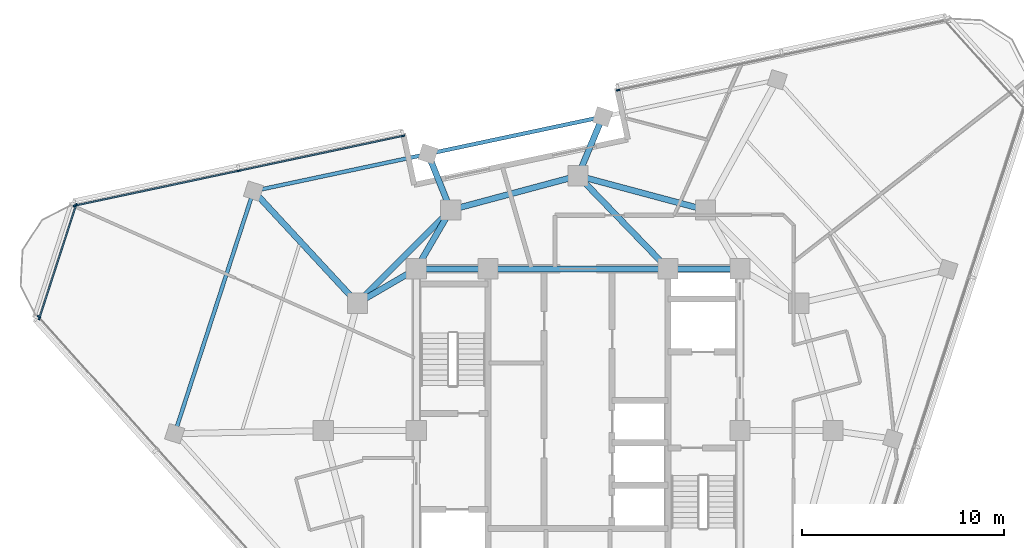
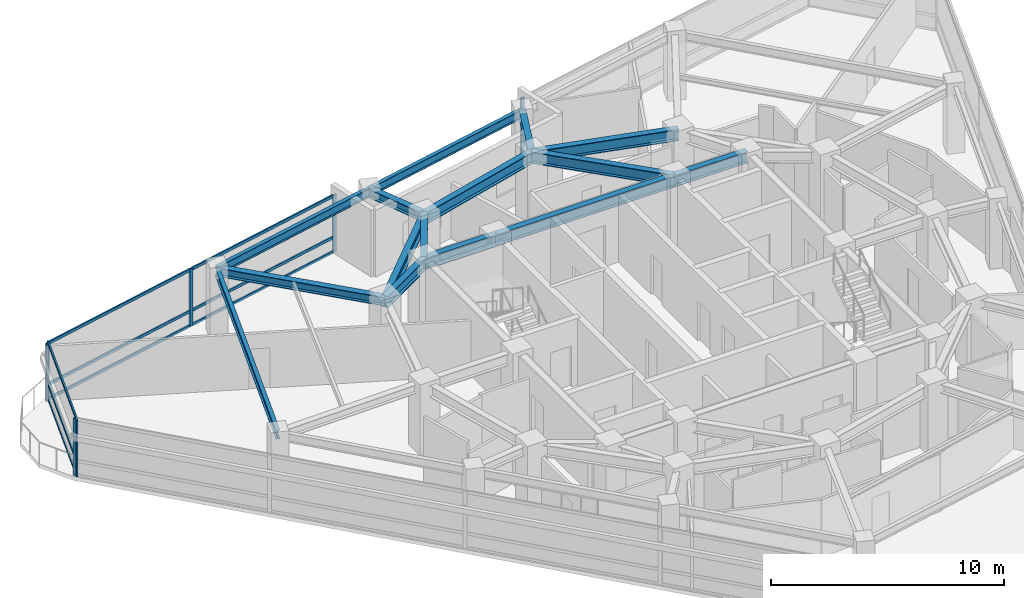
# One storey, part 5 of 15: 16 members, 15 beams, 4 elements without a shape of their own.
"""IFC4 building model written with IfcOpenShell, lengths in metres."""

import ifcopenshell
import ifcopenshell.guid

model = None  # the IFC model being written
_history = None  # IfcOwnerHistory: only IFC2X3 demands one
_inside = {}  # id of a spatial element -> (the spatial element, [elements in it])
_under = {}  # id of a project, library or spatial element -> (it, [spatial elements below it])
_declared = {}  # id of a project -> (the project, [libraries it declares])
_typed = {}  # id of a type object -> (the type object, [elements of that type])
_made_of = {}  # id of a material, layer set ... -> (it, [elements and type objects made of it])


def new_model(schema):
    """Start an empty IFC model of exactly this schema.

    Asked for "IFC4X3", IfcOpenShell would pick the latest addendum, in which some entities
    have other attributes; the version numbers below select the first issue.
    IFC2X3 requires an IfcOwnerHistory on every rooted entity: one is made here for all.
    """
    global model, _history
    if schema == "IFC4X3":
        model = ifcopenshell.file(schema_version=(4, 3, 0, 0))
    else:
        model = ifcopenshell.file(schema=schema)
    _inside.clear()
    _under.clear()
    _declared.clear()
    _typed.clear()
    _made_of.clear()
    _history = None
    if model.schema == "IFC2X3":
        org = make("IfcOrganization", Name="unknown")
        user = make(
            "IfcPersonAndOrganization",
            ThePerson=make("IfcPerson", FamilyName="unknown"),
            TheOrganization=org,
        )
        app = make(
            "IfcApplication",
            ApplicationDeveloper=org,
            Version="unknown",
            ApplicationFullName="unknown",
            ApplicationIdentifier="unknown",
        )
        _history = make(
            "IfcOwnerHistory",
            OwningUser=user,
            OwningApplication=app,
            ChangeAction="ADDED",
            CreationDate=0,
        )
    return model


def make(cls, **values):
    """One entity of the class cls with the attributes given. An attribute that is None is left unset."""
    return model.create_entity(
        cls, **{name: value for name, value in values.items() if value is not None}
    )


def rooted(cls, **values):
    """An entity with a GlobalId (a new one), such as an element, a storey or a relation."""
    return make(cls, GlobalId=ifcopenshell.guid.new(), OwnerHistory=_history, **values)


def si_unit(unit_type, name, prefix=None):
    """IfcSIUnit, for example si_unit("LENGTHUNIT", "METRE", prefix="MILLI")."""
    return make("IfcSIUnit", UnitType=unit_type, Prefix=prefix, Name=name)


def assignment(units):
    """IfcUnitAssignment: the units of a project."""
    return None if units is None else make("IfcUnitAssignment", Units=units)


def point(xyz):
    """IfcCartesianPoint."""
    return None if xyz is None else make("IfcCartesianPoint", Coordinates=xyz)


def direction(xyz):
    """IfcDirection."""
    return None if xyz is None else make("IfcDirection", DirectionRatios=xyz)


def frame(location, z_axis=None, x_axis=None):
    """IfcAxis2Placement3D, a coordinate frame: its origin and axes. An axis left out is left unset."""
    return make(
        "IfcAxis2Placement3D",
        Location=point(location),
        Axis=direction(z_axis),
        RefDirection=direction(x_axis),
    )


def frame_2d(location, x_axis=None):
    """IfcAxis2Placement2D, a coordinate frame in the plane: its origin and x axis."""
    return make(
        "IfcAxis2Placement2D", Location=point(location), RefDirection=direction(x_axis)
    )


def origin():
    """The frame at (0, 0, 0) with its axes left unset."""
    return frame((0.0, 0.0, 0.0))


def origin_2d():
    """The frame at (0, 0) in the plane with its x axis left unset."""
    return frame_2d((0.0, 0.0))


def place(relative_to, where):
    """IfcLocalPlacement: puts the frame where relative to a parent placement (None: the world)."""
    return make(
        "IfcLocalPlacement", PlacementRelTo=relative_to, RelativePlacement=where
    )


def context(
    kind, dimensions, precision=None, world=None, true_north=None, identifier=None
):
    """IfcGeometricRepresentationContext, for example the 3D "Model" context."""
    return make(
        "IfcGeometricRepresentationContext",
        ContextIdentifier=identifier,
        ContextType=kind,
        CoordinateSpaceDimension=dimensions,
        Precision=precision,
        WorldCoordinateSystem=world,
        TrueNorth=true_north,
    )


def subcontext(parent, identifier, kind, view, scale=None):
    """IfcGeometricRepresentationSubContext, for example "Body" below "Model"."""
    return make(
        "IfcGeometricRepresentationSubContext",
        ContextIdentifier=identifier,
        ContextType=kind,
        ParentContext=parent,
        TargetScale=scale,
        TargetView=view,
    )


def project(units=None, contexts=None):
    """IfcProject with its units and contexts."""
    return rooted(
        "IfcProject",
        Name="project",
        RepresentationContexts=contexts,
        UnitsInContext=assignment(units),
    )


def spatial(cls, under=None, at=None, **own):
    """A site, building, storey or space (cls), placed at a placement, below another one or the project."""
    s = rooted(cls, ObjectPlacement=at, **own)
    if under is not None:
        _under.setdefault(under.id(), (under, []))[1].append(s)
    return s


def profile(cls, at=None, kind="AREA", **sizes):
    """A parametric profile (cls). Its sizes go by their IFC names, for example OverallWidth=200.0."""
    return make(cls, ProfileType=kind, Position=at, **sizes)


def rectangle(**sizes):
    """IfcRectangleProfileDef."""
    return profile("IfcRectangleProfileDef", **sizes)


def i_section(**sizes):
    """IfcIShapeProfileDef."""
    return profile("IfcIShapeProfileDef", **sizes)


def extrude(swept, where, along, depth):
    """IfcExtrudedAreaSolid: the profile swept, set in the frame where, extruded along a direction by depth."""
    return make(
        "IfcExtrudedAreaSolid",
        SweptArea=swept,
        Position=where,
        ExtrudedDirection=direction(along),
        Depth=depth,
    )


def shape(context_of_items, identifier, shape_type, items):
    """IfcShapeRepresentation: the items that make up one representation, for example the "Body"."""
    return make(
        "IfcShapeRepresentation",
        ContextOfItems=context_of_items,
        RepresentationIdentifier=identifier,
        RepresentationType=shape_type,
        Items=items,
    )


def material(Name=None, Category=None):
    """IfcMaterial."""
    return make("IfcMaterial", Name=Name, Category=Category)


def layer(
    of_material, thickness, ventilated=None, Name=None, Category=None, Priority=None
):
    """IfcMaterialLayer: one layer of a wall or slab, of a material (None: an air gap)."""
    return make(
        "IfcMaterialLayer",
        Material=of_material,
        LayerThickness=thickness,
        IsVentilated=ventilated,
        Name=Name,
        Category=Category,
        Priority=Priority,
    )


def layer_set(layers, Name=None):
    """IfcMaterialLayerSet."""
    return make("IfcMaterialLayerSet", MaterialLayers=layers, LayerSetName=Name)


def material_profile(
    of_material, cross_section, Name=None, Category=None, Priority=None
):
    """IfcMaterialProfile: a cross section and its material."""
    return make(
        "IfcMaterialProfile",
        Name=Name,
        Material=of_material,
        Profile=cross_section,
        Priority=Priority,
        Category=Category,
    )


def profile_set(profiles, Name=None, composite=None):
    """IfcMaterialProfileSet."""
    return make(
        "IfcMaterialProfileSet",
        Name=Name,
        MaterialProfiles=profiles,
        CompositeProfile=composite,
    )


def made_of(thing, what):
    """Note that an element or type object is made of a material, layer set ...; save() writes the relation."""
    if what is not None:
        _made_of.setdefault(what.id(), (what, []))[1].append(thing)
    return thing


def type_object(cls, material=None, **own):
    """A type object (cls), such as IfcWallType, which elements share."""
    return made_of(rooted(cls, **own), material)


def element(
    cls,
    number,
    at=None,
    inside=None,
    cuts=None,
    type_object=None,
    material=None,
    context=None,
    identifier="Body",
    shape_type=None,
    held_by="IfcProductDefinitionShape",
    body=None,
    shapes=None,
    **own,
):
    """One element of the class cls, such as IfcWall. Its Tag is "e" and its number.

    at: its placement. inside: the storey or other place that contains it. cuts: it is an
    opening in that element (IfcRelVoidsElement). A single representation is given by context,
    identifier, shape_type and body (its items); several are given by shapes. held_by: the class
    of the entity that holds the representations. save() writes the other relations.
    """
    e = rooted(cls, Tag="e%d" % number, ObjectPlacement=at, **own)
    if body is not None:
        shapes = [shape(context, identifier, shape_type, body)]
    if shapes is not None:
        e.Representation = make(held_by, Representations=shapes)
    if inside is not None:
        _inside.setdefault(inside.id(), (inside, []))[1].append(e)
    if cuts is not None:
        rooted(
            "IfcRelVoidsElement", RelatingBuildingElement=cuts, RelatedOpeningElement=e
        )
    if type_object is not None:
        _typed.setdefault(type_object.id(), (type_object, []))[1].append(e)
    return made_of(e, material)


def aggregate(whole, parts):
    """IfcRelAggregates: a whole, such as a stair, and the parts it consists of."""
    return rooted("IfcRelAggregates", RelatingObject=whole, RelatedObjects=parts)


def save(model, path):
    """Write the relations noted so far, then the file.

    IfcRelAggregates (storeys below a building ...), IfcRelContainedInSpatialStructure (elements
    in a storey), IfcRelDefinesByType, IfcRelAssociatesMaterial and IfcRelDeclares: one each for
    every whole, place, type object, material and project.
    """
    for whole, parts in _under.values():
        aggregate(whole, parts)
    for where, things in _inside.values():
        rooted(
            "IfcRelContainedInSpatialStructure",
            RelatedElements=things,
            RelatingStructure=where,
        )
    for kind, things in _typed.values():
        rooted("IfcRelDefinesByType", RelatedObjects=things, RelatingType=kind)
    for what, things in _made_of.values():
        rooted("IfcRelAssociatesMaterial", RelatedObjects=things, RelatingMaterial=what)
    for by, libraries in _declared.values():
        rooted("IfcRelDeclares", RelatingContext=by, RelatedDefinitions=libraries)
    model.write(path)


model = new_model("IFC4")

# Units and contexts
model_context = context("Model", 3, precision=1e-05, world=origin(), true_north=direction((0.0, 1.0)))
body_context = subcontext(model_context, "Body", "Model", "MODEL_VIEW")
ifc_project = project(units=[si_unit("LENGTHUNIT", "METRE"), si_unit("AREAUNIT", "SQUARE_METRE"), si_unit("VOLUMEUNIT", "CUBIC_METRE"), si_unit("PLANEANGLEUNIT", "RADIAN"), si_unit("MASSUNIT", "GRAM", prefix="KILO")], contexts=[model_context])

# Site, building, storey
site_placement = place(None, origin())
site = spatial("IfcSite", under=ifc_project, at=site_placement, CompositionType="ELEMENT")
building_placement = place(site_placement, origin())
building = spatial("IfcBuilding", under=site, at=building_placement, Name="Terralouvre Media Tower", CompositionType="ELEMENT")
storey_placement = place(building_placement, frame((0.0, 0.0, 298.0)))
storey = spatial("IfcBuildingStorey", under=building, at=storey_placement, Name="L77", CompositionType="ELEMENT", Elevation=298.0)

# Curtain wall, members
ifc_material_1 = material(Name="Low-iron laminated double glazing with solar-control coating", Category="glass")
ifc_layer_1 = layer(ifc_material_1, 0.1650390625, Name="Faceted Glass-Point Crown Curtain Wall CW-06")
ifc_layer_set_1 = layer_set([ifc_layer_1], Name="Low-iron laminated double glazing with solar-control coating")
curtain_wall_type_1 = type_object("IfcCurtainWallType", Name="Faceted Glass-Point Crown Curtain Wall CW-06", PredefinedType="NOTDEFINED", material=ifc_layer_set_1)
curtain_wall_1_placement = place(storey_placement, origin())
curtain_wall_1 = element("IfcCurtainWall", 1, at=curtain_wall_1_placement, inside=storey, type_object=curtain_wall_type_1, Name="L77 Right Flank Curtain Wall F1", PredefinedType="NOTDEFINED")
ifc_material_2 = material(Name="Anodised extruded aluminium 6063-T6", Category="aluminium")
ifc_material_profile_1 = material_profile(ifc_material_2, rectangle(XDim=0.074951171875, YDim=0.14990234375, at=origin_2d()), Name="ALU 75x150")
ifc_profile_set_1 = profile_set([ifc_material_profile_1], Name="Anodised extruded aluminium 6063-T6")
member_type_1 = type_object("IfcMemberType", Name="Curtain-Wall Horizontal Transom TR-150", PredefinedType="USERDEFINED", material=ifc_profile_set_1)
member_1_placement = place(storey_placement, frame((-8.693603515625, 14.567138671875, 0.03759765625), z_axis=(-0.978148883033, -0.207905657984, 0.0), x_axis=(0.207905657984, -0.978148883033, 0.0)))
member_1 = element("IfcMember", 2, at=member_1_placement, type_object=member_type_1, Name="CW-06 transom 1.1", ObjectType="TRANSOM", PredefinedType="USERDEFINED", context=body_context, shape_type="SweptSolid", body=[
    extrude(rectangle(XDim=0.074951171875, YDim=0.14990234375, at=origin_2d()), origin(), (0.0, 0.0, 1.0), 8.217529296875),
])
member_2_placement = place(storey_placement, frame((-8.693603515625, 14.567138671875, 0.800048828125), z_axis=(-0.978148883033, -0.207905657984, 0.0), x_axis=(0.207905657984, -0.978148883033, 0.0)))
member_2 = element("IfcMember", 3, at=member_2_placement, type_object=member_type_1, Name="CW-06 transom 1.2", ObjectType="TRANSOM", PredefinedType="USERDEFINED", context=body_context, shape_type="SweptSolid", body=[
    extrude(rectangle(XDim=0.074951171875, YDim=0.14990234375, at=origin_2d()), origin(), (0.0, 0.0, 1.0), 8.217529296875),
])
member_3_placement = place(storey_placement, frame((-8.693603515625, 14.567138671875, 2.96240234375), z_axis=(-0.978148883033, -0.207905657984, 0.0), x_axis=(0.207905657984, -0.978148883033, 0.0)))
member_3 = element("IfcMember", 4, at=member_3_placement, type_object=member_type_1, Name="CW-06 transom 1.3", ObjectType="TRANSOM", PredefinedType="USERDEFINED", context=body_context, shape_type="SweptSolid", body=[
    extrude(rectangle(XDim=0.074951171875, YDim=0.14990234375, at=origin_2d()), origin(), (0.0, 0.0, 1.0), 8.217529296875),
])
member_4_placement = place(storey_placement, frame((-16.804931640625, 12.843017578125, 0.03759765625), z_axis=(-0.978147598799, -0.207911699918, 0.0), x_axis=(0.207911699918, -0.978147598799, 0.0)))
member_4 = element("IfcMember", 5, at=member_4_placement, type_object=member_type_1, Name="CW-06 transom 2.1", ObjectType="TRANSOM", PredefinedType="USERDEFINED", context=body_context, shape_type="SweptSolid", body=[
    extrude(rectangle(XDim=0.074951171875, YDim=0.14990234375, at=origin_2d()), origin(), (0.0, 0.0, 1.0), 8.217529296875),
])
member_5_placement = place(storey_placement, frame((-16.804931640625, 12.843017578125, 0.800048828125), z_axis=(-0.978147598799, -0.207911699918, 0.0), x_axis=(0.207911699918, -0.978147598799, 0.0)))
member_5 = element("IfcMember", 6, at=member_5_placement, type_object=member_type_1, Name="CW-06 transom 2.2", ObjectType="TRANSOM", PredefinedType="USERDEFINED", context=body_context, shape_type="SweptSolid", body=[
    extrude(rectangle(XDim=0.074951171875, YDim=0.14990234375, at=origin_2d()), origin(), (0.0, 0.0, 1.0), 8.217529296875),
])
member_6_placement = place(storey_placement, frame((-16.804931640625, 12.843017578125, 2.96240234375), z_axis=(-0.978147598799, -0.207911699918, 0.0), x_axis=(0.207911699918, -0.978147598799, 0.0)))
member_6 = element("IfcMember", 7, at=member_6_placement, type_object=member_type_1, Name="CW-06 transom 2.3", ObjectType="TRANSOM", PredefinedType="USERDEFINED", context=body_context, shape_type="SweptSolid", body=[
    extrude(rectangle(XDim=0.074951171875, YDim=0.14990234375, at=origin_2d()), origin(), (0.0, 0.0, 1.0), 8.217529296875),
])

ifc_material_3 = material(Name="Low-iron laminated double glazing with solar-control coating", Category="glass")
ifc_layer_2 = layer(ifc_material_3, 0.1650390625, Name="Rounded Wind-Corner Curved Glazing CW-04")
ifc_layer_set_2 = layer_set([ifc_layer_2], Name="Low-iron laminated double glazing with solar-control coating")
curtain_wall_type_2 = type_object("IfcCurtainWallType", Name="Rounded Wind-Corner Curved Glazing CW-04", PredefinedType="NOTDEFINED", material=ifc_layer_set_2)
curtain_wall_2_placement = place(storey_placement, origin())
curtain_wall_2 = element("IfcCurtainWall", 8, at=curtain_wall_2_placement, inside=storey, type_object=curtain_wall_type_2, Name="L77 Rounded Wind-Corner Curtain Wall C2", PredefinedType="NOTDEFINED")
member_7_placement = place(storey_placement, frame((-24.831298828125, 11.121826171875, 0.03759765625), z_axis=(-0.308980573489, -0.951068349387, 0.0), x_axis=(0.951068349387, -0.308980573489, 0.0)))
member_7 = element("IfcMember", 9, at=member_7_placement, type_object=member_type_1, Name="CW-04 transom 1.1", ObjectType="TRANSOM", PredefinedType="USERDEFINED", context=body_context, shape_type="SweptSolid", body=[
    extrude(rectangle(XDim=0.074951171875, YDim=0.14990234375, at=origin_2d()), origin(), (0.0, 0.0, 1.0), 5.808349609375),
])
member_8_placement = place(storey_placement, frame((-24.831298828125, 11.121826171875, 0.800048828125), z_axis=(-0.308980573489, -0.951068349387, 0.0), x_axis=(0.951068349387, -0.308980573489, 0.0)))
member_8 = element("IfcMember", 10, at=member_8_placement, type_object=member_type_1, Name="CW-04 transom 1.2", ObjectType="TRANSOM", PredefinedType="USERDEFINED", context=body_context, shape_type="SweptSolid", body=[
    extrude(rectangle(XDim=0.074951171875, YDim=0.14990234375, at=origin_2d()), origin(), (0.0, 0.0, 1.0), 5.808349609375),
])
member_9_placement = place(storey_placement, frame((-24.831298828125, 11.121826171875, 2.96240234375), z_axis=(-0.308980573489, -0.951068349387, 0.0), x_axis=(0.951068349387, -0.308980573489, 0.0)))
member_9 = element("IfcMember", 11, at=member_9_placement, type_object=member_type_1, Name="CW-04 transom 1.3", ObjectType="TRANSOM", PredefinedType="USERDEFINED", context=body_context, shape_type="SweptSolid", body=[
    extrude(rectangle(XDim=0.074951171875, YDim=0.14990234375, at=origin_2d()), origin(), (0.0, 0.0, 1.0), 5.808349609375),
])

# Curtain wall, member
curtain_wall_3_placement = place(storey_placement, origin())
curtain_wall_3 = element("IfcCurtainWall", 12, at=curtain_wall_3_placement, inside=storey, type_object=curtain_wall_type_1, Name="L77 Left Flank Curtain Wall F1", PredefinedType="NOTDEFINED")
ifc_material_4 = material(Name="Anodised extruded aluminium 6063-T6", Category="aluminium")
ifc_material_profile_2 = material_profile(ifc_material_4, rectangle(XDim=0.074951171875, YDim=0.179931640625, at=origin_2d()), Name="ALU 75x180")
ifc_profile_set_2 = profile_set([ifc_material_profile_2], Name="Anodised extruded aluminium 6063-T6")
member_type_2 = type_object("IfcMemberType", Name="Curtain-Wall Vertical Mullion ML-180", PredefinedType="MULLION", material=ifc_profile_set_2)
member_10_placement = place(storey_placement, frame((1.98046875, 16.8359375, 0.0), z_axis=(0.0, 0.0, 1.0), x_axis=(0.207911749648, -0.978147588229, 0.0)))
member_10 = element("IfcMember", 13, at=member_10_placement, type_object=member_type_2, Name="CW-06 mullion 3", PredefinedType="MULLION", context=body_context, shape_type="SweptSolid", body=[
    extrude(rectangle(XDim=0.074951171875, YDim=0.179931640625, at=origin_2d()), origin(), (0.0, 0.0, 1.0), 3.0),
])
aggregate(curtain_wall_3, [member_10])

# Member
member_11_placement = place(storey_placement, frame((-8.656982421875, 14.574951171875, 0.0), z_axis=(0.0, 0.0, 1.0), x_axis=(0.20791129743, -0.978147684351, 0.0)))
member_11 = element("IfcMember", 14, at=member_11_placement, type_object=member_type_2, Name="CW-06 mullion 1", PredefinedType="MULLION", context=body_context, shape_type="SweptSolid", body=[
    extrude(rectangle(XDim=0.074951171875, YDim=0.179931640625, at=origin_2d()), origin(), (0.0, 0.0, 1.0), 3.0),
])

member_12_placement = place(storey_placement, frame((-16.768310546875, 12.850830078125, 0.0), z_axis=(0.0, 0.0, 1.0), x_axis=(0.20791129743, -0.978147684351, 0.0)))
member_12 = element("IfcMember", 15, at=member_12_placement, type_object=member_type_2, Name="CW-06 mullion 2", PredefinedType="MULLION", context=body_context, shape_type="SweptSolid", body=[
    extrude(rectangle(XDim=0.074951171875, YDim=0.179931640625, at=origin_2d()), origin(), (0.0, 0.0, 1.0), 3.0),
])

member_13_placement = place(storey_placement, frame((-24.879638671875, 11.126708984375, 0.0), z_axis=(0.0, 0.0, 1.0), x_axis=(0.20791129743, -0.978147684351, 0.0)))
member_13 = element("IfcMember", 16, at=member_13_placement, type_object=member_type_2, Name="CW-06 mullion 3", PredefinedType="MULLION", context=body_context, shape_type="SweptSolid", body=[
    extrude(rectangle(XDim=0.074951171875, YDim=0.179931640625, at=origin_2d()), origin(), (0.0, 0.0, 1.0), 3.0),
])

aggregate(curtain_wall_1, [member_11, member_12, member_13, member_1, member_2, member_3, member_4, member_5, member_6])

# Curtain wall, member
curtain_wall_4_placement = place(storey_placement, origin())
curtain_wall_4 = element("IfcCurtainWall", 17, at=curtain_wall_4_placement, inside=storey, type_object=curtain_wall_type_1, Name="L77 Facade Curtain Wall F2", PredefinedType="NOTDEFINED")
member_14_placement = place(storey_placement, frame((-26.668212890625, 5.6220703125, 0.0), z_axis=(0.0, 0.0, 1.0), x_axis=(0.743144855036, 0.669130573531, 0.0)))
member_14 = element("IfcMember", 18, at=member_14_placement, type_object=member_type_2, Name="CW-06 mullion 1", PredefinedType="MULLION", context=body_context, shape_type="SweptSolid", body=[
    extrude(rectangle(XDim=0.074951171875, YDim=0.179931640625, at=origin_2d()), origin(), (0.0, 0.0, 1.0), 3.0),
])
aggregate(curtain_wall_4, [member_14])

# Member
member_15_placement = place(storey_placement, frame((-24.819580078125, 11.157470703125, 0.0), z_axis=(0.0, 0.0, 1.0), x_axis=(0.951056661679, -0.30901654693, 0.0)))
member_15 = element("IfcMember", 19, at=member_15_placement, type_object=member_type_2, Name="CW-04 mullion 1", PredefinedType="MULLION", context=body_context, shape_type="SweptSolid", body=[
    extrude(rectangle(XDim=0.074951171875, YDim=0.179931640625, at=origin_2d()), origin(), (0.0, 0.0, 1.0), 3.0),
])

member_16_placement = place(storey_placement, frame((-26.6376953125, 5.56201171875, 0.0), z_axis=(0.0, 0.0, 1.0), x_axis=(0.951056661679, -0.30901654693, 0.0)))
member_16 = element("IfcMember", 20, at=member_16_placement, type_object=member_type_2, Name="CW-04 mullion 2", PredefinedType="MULLION", context=body_context, shape_type="SweptSolid", body=[
    extrude(rectangle(XDim=0.074951171875, YDim=0.179931640625, at=origin_2d()), origin(), (0.0, 0.0, 1.0), 3.0),
])

aggregate(curtain_wall_2, [member_15, member_16, member_7, member_8, member_9])

# Beams
ifc_material_5 = material(Name="Structural steel S355J2", Category="steel")
ifc_material_profile_3 = material_profile(ifc_material_5, i_section(OverallWidth=0.18994140625, OverallDepth=0.449951171875, WebThickness=0.009521484375, FlangeThickness=0.0146484375, at=origin_2d()), Name="IPE 450")
ifc_profile_set_3 = profile_set([ifc_material_profile_3], Name="Structural steel S355J2")
beam_type_1 = type_object("IfcBeamType", Name="Perimeter Spandrel Beam SPB-450 (IPE 450)", PredefinedType="SPANDREL", material=ifc_profile_set_3)
for number, where, z_axis, x_axis, name in (
    (21, (1.212158203125, 15.517578125, 3.27490234375), (-0.97814485548, -0.207924605802, 0.0), (0.207924605802, -0.97814485548, 0.0), "L77 Framing Beam BM-L77-PR10"),
    (22, (-7.4189453125, 13.682861328125, 3.27490234375), (-0.97814485548, -0.207924605802, 0.0), (0.207924605802, -0.97814485548, 0.0), "L77 Framing Beam BM-L77-PR11"),
):
    element("IfcBeam", number, at=place(storey_placement, frame(where, z_axis=z_axis, x_axis=x_axis)), inside=storey, type_object=beam_type_1, Name=name, PredefinedType="SPANDREL", context=body_context, shape_type="SweptSolid", body=[
        extrude(i_section(OverallWidth=0.18994140625, OverallDepth=0.449951171875, WebThickness=0.009521484375, FlangeThickness=0.0146484375, at=origin_2d()), origin(), (0.0, 0.0, 1.0), 8.823974609375),
    ])
beam_1_placement = place(storey_placement, frame((-16.050048828125, 11.84814453125, 3.27490234375), z_axis=(-0.309020441102, -0.951055396379, 0.0), x_axis=(0.951055396379, -0.309020441102, 0.0)))
element("IfcBeam", 23, at=beam_1_placement, inside=storey, type_object=beam_type_1, Name="L77 Framing Beam BM-L77-PR12", PredefinedType="SPANDREL", context=body_context, shape_type="SweptSolid", body=[
    extrude(i_section(OverallWidth=0.18994140625, OverallDepth=0.449951171875, WebThickness=0.009521484375, FlangeThickness=0.0146484375, at=origin_2d()), origin(), (0.0, 0.0, 1.0), 12.616943359375),
])
ifc_material_6 = material(Name="Structural steel S355J2", Category="steel")
ifc_material_profile_4 = material_profile(ifc_material_6, i_section(OverallWidth=0.300048828125, OverallDepth=0.449951171875, WebThickness=0.013916015625, FlangeThickness=0.02587890625, at=origin_2d()), Name="HEB 450")
ifc_profile_set_4 = profile_set([ifc_material_profile_4], Name="Structural steel S355J2")
beam_type_2 = type_object("IfcBeamType", Name="Primary Floor Girder B-HEB450 (HEB 450)", PredefinedType="BEAM", material=ifc_profile_set_4)
beam_2_placement = place(storey_placement, frame((0.0, 12.60009765625, 3.27490234375), z_axis=(0.383682372078, 0.923465125143, 0.0), x_axis=(-0.923465125143, 0.383682372078, 0.0)))
element("IfcBeam", 24, at=beam_2_placement, inside=storey, type_object=beam_type_2, Name="L77 Framing Beam BM-L77-RD10", PredefinedType="BEAM", context=body_context, shape_type="SweptSolid", body=[
    extrude(i_section(OverallWidth=0.300048828125, OverallDepth=0.449951171875, WebThickness=0.013916015625, FlangeThickness=0.02587890625, at=origin_2d()), origin(), (0.0, 0.0, 1.0), 3.1591796875),
])
beam_3_placement = place(storey_placement, frame((-6.300048828125, 10.911865234375, 3.27490234375), z_axis=(-0.374417122208, 0.927260383386, 0.0), x_axis=(-0.927260383386, -0.374417122208, 0.0)))
element("IfcBeam", 25, at=beam_3_placement, inside=storey, type_object=beam_type_2, Name="L77 Framing Beam BM-L77-RD11", PredefinedType="BEAM", context=body_context, shape_type="SweptSolid", body=[
    extrude(i_section(OverallWidth=0.300048828125, OverallDepth=0.449951171875, WebThickness=0.013916015625, FlangeThickness=0.02587890625, at=origin_2d()), origin(), (0.0, 0.0, 1.0), 2.98828125),
])
beam_4_placement = place(storey_placement, frame((-10.911865234375, 6.300048828125, 3.27490234375), z_axis=(-0.679483353105, 0.733690924609, 0.0), x_axis=(-0.733690924609, -0.679483353105, 0.0)))
element("IfcBeam", 26, at=beam_4_placement, inside=storey, type_object=beam_type_2, Name="L77 Framing Beam BM-L77-RD12", PredefinedType="BEAM", context=body_context, shape_type="SweptSolid", body=[
    extrude(i_section(OverallWidth=0.300048828125, OverallDepth=0.449951171875, WebThickness=0.013916015625, FlangeThickness=0.02587890625, at=origin_2d()), origin(), (0.0, 0.0, 1.0), 7.56201171875),
])
ifc_material_7 = material(Name="Structural steel S460M", Category="steel")
ifc_material_profile_5 = material_profile(ifc_material_7, i_section(OverallWidth=0.300048828125, OverallDepth=0.60009765625, WebThickness=0.015380859375, FlangeThickness=0.030029296875, at=origin_2d()), Name="HEB 600")
ifc_profile_set_5 = profile_set([ifc_material_profile_5], Name="Structural steel S460M")
beam_type_3 = type_object("IfcBeamType", Name="Primary Floor Girder B-HEB600 (HEB 600)", PredefinedType="BEAM", material=ifc_profile_set_5)
beam_5_placement = place(storey_placement, frame((8.0, 8.0, 3.199951171875), z_axis=(-1.0, 0.0, 0.0), x_axis=(0.0, -1.0, 0.0)))
element("IfcBeam", 27, at=beam_5_placement, inside=storey, type_object=beam_type_3, Name="L77 Framing Beam BM-L77-CPR06", PredefinedType="BEAM", context=body_context, shape_type="SweptSolid", body=[
    extrude(i_section(OverallWidth=0.300048828125, OverallDepth=0.60009765625, WebThickness=0.015380859375, FlangeThickness=0.030029296875, at=origin_2d()), origin(), (0.0, 0.0, 1.0), 3.550048828125),
])
beam_6_placement = place(storey_placement, frame((4.449951171875, 8.0, 3.199951171875), z_axis=(-1.0, 0.0, 0.0), x_axis=(0.0, -1.0, 0.0)))
element("IfcBeam", 28, at=beam_6_placement, inside=storey, type_object=beam_type_3, Name="L77 Framing Beam BM-L77-CPR07", PredefinedType="BEAM", context=body_context, shape_type="SweptSolid", body=[
    extrude(i_section(OverallWidth=0.300048828125, OverallDepth=0.60009765625, WebThickness=0.015380859375, FlangeThickness=0.030029296875, at=origin_2d()), origin(), (0.0, 0.0, 1.0), 8.89990234375),
])
beam_7_placement = place(storey_placement, frame((-4.449951171875, 8.0, 3.199951171875), z_axis=(-1.0, 0.0, 0.0), x_axis=(0.0, -1.0, 0.0)))
element("IfcBeam", 29, at=beam_7_placement, inside=storey, type_object=beam_type_3, Name="L77 Framing Beam BM-L77-CPR08", PredefinedType="BEAM", context=body_context, shape_type="SweptSolid", body=[
    extrude(i_section(OverallWidth=0.300048828125, OverallDepth=0.60009765625, WebThickness=0.015380859375, FlangeThickness=0.030029296875, at=origin_2d()), origin(), (0.0, 0.0, 1.0), 3.550048828125),
])
for number, where, z_axis, x_axis, name in (
    (30, (6.300048828125, 10.911865234375, 3.199951171875), (-0.965920481897, 0.258838989821, 0.0), (-0.258838989821, -0.965920481897, 0.0), "L77 Framing Beam BM-L77-MR08"),
    (31, (0.0, 12.60009765625, 3.199951171875), (-0.965920481897, -0.258838989821, 0.0), (0.258838989821, -0.965920481897, 0.0), "L77 Framing Beam BM-L77-MR09"),
):
    element("IfcBeam", number, at=place(storey_placement, frame(where, z_axis=z_axis, x_axis=x_axis)), inside=storey, type_object=beam_type_3, Name=name, PredefinedType="BEAM", context=body_context, shape_type="SweptSolid", body=[
        extrude(i_section(OverallWidth=0.300048828125, OverallDepth=0.60009765625, WebThickness=0.015380859375, FlangeThickness=0.030029296875, at=origin_2d()), origin(), (0.0, 0.0, 1.0), 6.522216796875),
    ])
beam_8_placement = place(storey_placement, frame((-6.300048828125, 10.911865234375, 3.199951171875), z_axis=(-0.707106781187, -0.707106781187, 0.0), x_axis=(0.707106781187, -0.707106781187, 0.0)))
element("IfcBeam", 32, at=beam_8_placement, inside=storey, type_object=beam_type_3, Name="L77 Framing Beam BM-L77-MR10", PredefinedType="BEAM", context=body_context, shape_type="SweptSolid", body=[
    extrude(i_section(OverallWidth=0.300048828125, OverallDepth=0.60009765625, WebThickness=0.015380859375, FlangeThickness=0.030029296875, at=origin_2d()), origin(), (0.0, 0.0, 1.0), 6.52197265625),
])
beam_9_placement = place(storey_placement, frame((4.449951171875, 8.0, 3.199951171875), z_axis=(-0.695279715726, 0.718739255155, 0.0), x_axis=(-0.718739255155, -0.695279715726, 0.0)))
element("IfcBeam", 33, at=beam_9_placement, inside=storey, type_object=beam_type_3, Name="L77 Framing Beam BM-L77-CM09", PredefinedType="BEAM", context=body_context, shape_type="SweptSolid", body=[
    extrude(i_section(OverallWidth=0.300048828125, OverallDepth=0.60009765625, WebThickness=0.015380859375, FlangeThickness=0.030029296875, at=origin_2d()), origin(), (0.0, 0.0, 1.0), 6.400146484375),
])
for number, where, z_axis, x_axis, name in (
    (34, (-8.0, 8.0, 3.199951171875), (0.504172629717, 0.863602894532, 0.0), (-0.863602894532, 0.504172629717, 0.0), "L77 Framing Beam BM-L77-CM10"),
    (35, (-8.0, 8.0, 3.199951171875), (-0.863602894532, -0.504172629717, 0.0), (0.504172629717, -0.863602894532, 0.0), "L77 Framing Beam BM-L77-CM11"),
):
    element("IfcBeam", number, at=place(storey_placement, frame(where, z_axis=z_axis, x_axis=x_axis)), inside=storey, type_object=beam_type_3, Name=name, PredefinedType="BEAM", context=body_context, shape_type="SweptSolid", body=[
        extrude(i_section(OverallWidth=0.300048828125, OverallDepth=0.60009765625, WebThickness=0.015380859375, FlangeThickness=0.030029296875, at=origin_2d()), origin(), (0.0, 0.0, 1.0), 3.371826171875),
    ])

save(model, "model.ifc")
